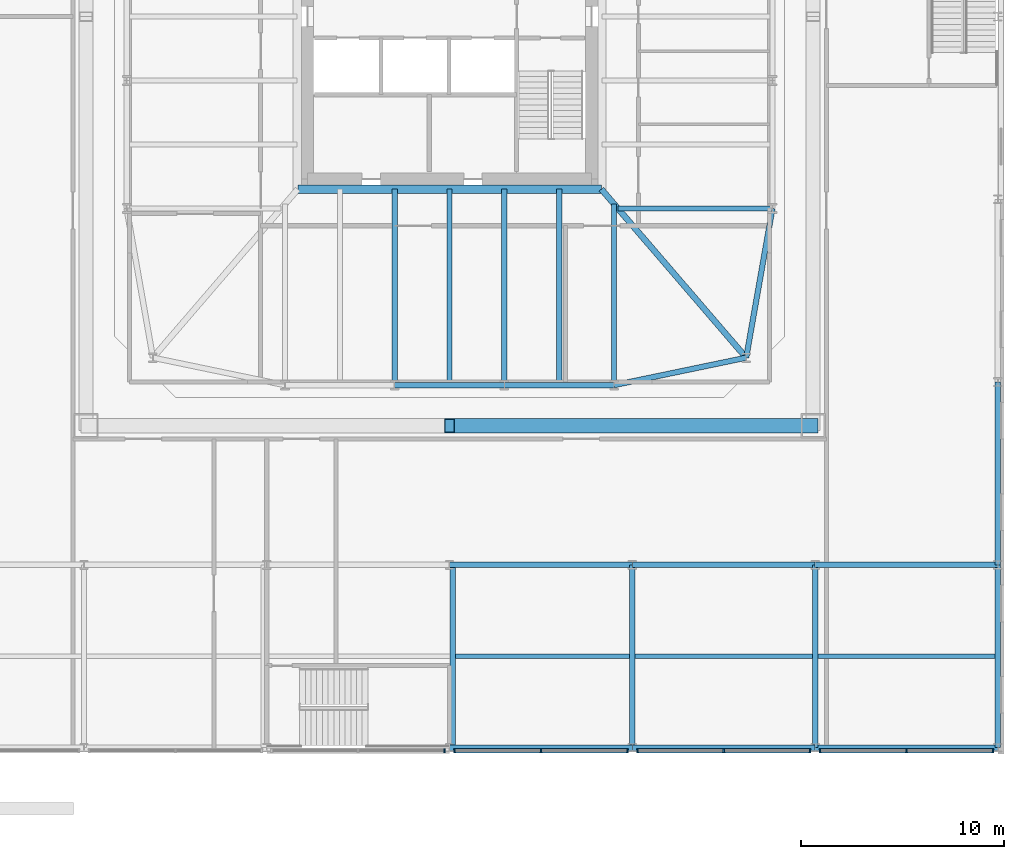
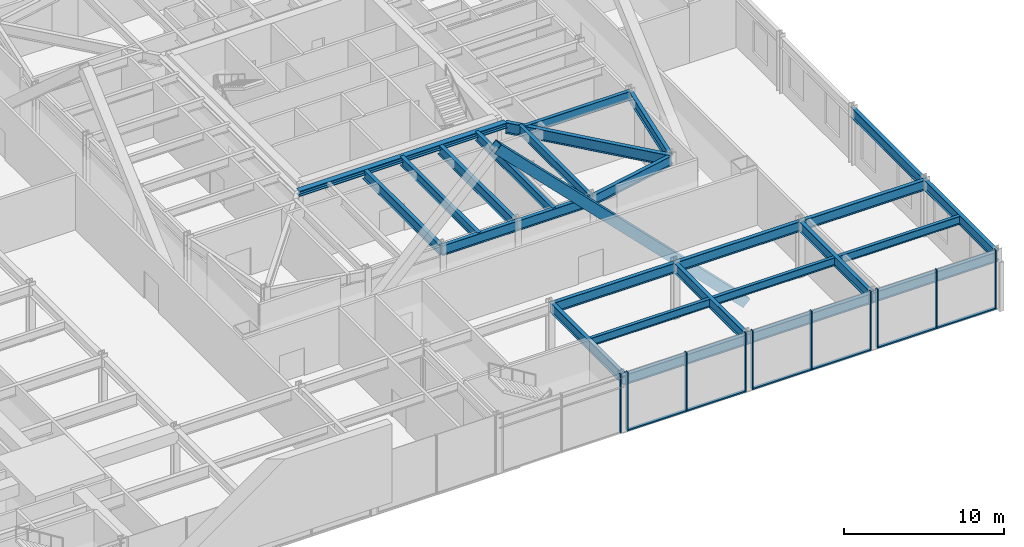
# One storey, part 12 of 32: 26 beams, 17 members, 4 elements without a shape of their own.
"""IFC4 building model written with IfcOpenShell, lengths in metres."""

from ifc_helpers import new_model, si_unit, direction, frame, origin, origin_2d, place, context, subcontext, project, spatial, rectangle, hollow_rectangle, i_section, extrude, material, material_profile, profile_set, type_object, element, aggregate, save


model = new_model("IFC4")

# Units and contexts
model_context = context("Model", 3, precision=1e-05, world=origin(), true_north=direction((0.0, 1.0)))
body_context = subcontext(model_context, "Body", "Model", "MODEL_VIEW")
ifc_project = project(units=[si_unit("LENGTHUNIT", "METRE"), si_unit("AREAUNIT", "SQUARE_METRE"), si_unit("VOLUMEUNIT", "CUBIC_METRE"), si_unit("PLANEANGLEUNIT", "RADIAN"), si_unit("MASSUNIT", "GRAM", prefix="KILO")], contexts=[model_context])

# Site, building, storey
site_placement = place(None, origin())
site = spatial("IfcSite", under=ifc_project, at=site_placement, CompositionType="ELEMENT")
building_placement = place(site_placement, origin())
building = spatial("IfcBuilding", under=site, at=building_placement, Name="Iwan Alto Co-Living Towers", CompositionType="ELEMENT")
storey_placement = place(building_placement, frame((0.0, 0.0, 6.0)))
storey = spatial("IfcBuildingStorey", under=building, at=storey_placement, Name="L01", CompositionType="ELEMENT", Elevation=6.0)

# Curtain wall, member
ifc_material_1 = material(Name="Bronze aluminium stick frame", Category="aluminium")
curtain_wall_type = type_object("IfcCurtainWallType", Name="CURTAIN WALL CW-E", PredefinedType="NOTDEFINED", material=ifc_material_1)
curtain_wall_1_placement = place(storey_placement, origin())
curtain_wall_1 = element("IfcCurtainWall", 1, at=curtain_wall_1_placement, inside=storey, type_object=curtain_wall_type, Name="Podium curtain wall S L01", PredefinedType="NOTDEFINED")
ifc_material_2 = material(Name="Aluminium 6063-T6 bronze anodised", Category="aluminium")
ifc_material_profile_1 = material_profile(ifc_material_2, rectangle(XDim=0.199951171875, YDim=0.080078125, at=origin_2d()), Name="AL 80X200")
ifc_profile_set_1 = profile_set([ifc_material_profile_1], Name="Aluminium 6063-T6 bronze anodised")
member_type_1 = type_object("IfcMemberType", Name="CW-E MULLION 80X200", PredefinedType="MULLION", material=ifc_profile_set_1)
member_1_placement = place(storey_placement, frame((62.754150390625, -36.14990234375, 0.0), z_axis=(0.0, 0.0, 1.0), x_axis=(0.0, 1.0, 0.0)))
member_1 = element("IfcMember", 2, at=member_1_placement, type_object=member_type_1, Name="CW-E mullion 3", PredefinedType="MULLION", context=body_context, shape_type="SweptSolid", body=[
    extrude(rectangle(XDim=0.199951171875, YDim=0.080078125, at=origin_2d()), origin(), (0.0, 0.0, 1.0), 4.5),
])
aggregate(curtain_wall_1, [member_1])

# Curtain wall, members
curtain_wall_2_placement = place(storey_placement, origin())
curtain_wall_2 = element("IfcCurtainWall", 3, at=curtain_wall_2_placement, inside=storey, type_object=curtain_wall_type, Name="Podium curtain wall S L01", PredefinedType="NOTDEFINED")
member_2_placement = place(storey_placement, frame((63.245849609375, -36.14990234375, 0.0), z_axis=(0.0, 0.0, 1.0), x_axis=(0.0, 1.0, 0.0)))
member_2 = element("IfcMember", 4, at=member_2_placement, type_object=member_type_1, Name="CW-E mullion 1", PredefinedType="MULLION", context=body_context, shape_type="SweptSolid", body=[
    extrude(rectangle(XDim=0.199951171875, YDim=0.080078125, at=origin_2d()), origin(), (0.0, 0.0, 1.0), 4.5),
])
member_3_placement = place(storey_placement, frame((67.5, -36.14990234375, 0.0), z_axis=(0.0, 0.0, 1.0), x_axis=(0.0, 1.0, 0.0)))
member_3 = element("IfcMember", 5, at=member_3_placement, type_object=member_type_1, Name="CW-E mullion 2", PredefinedType="MULLION", context=body_context, shape_type="SweptSolid", body=[
    extrude(rectangle(XDim=0.199951171875, YDim=0.080078125, at=origin_2d()), origin(), (0.0, 0.0, 1.0), 4.5),
])
member_4_placement = place(storey_placement, frame((71.754150390625, -36.14990234375, 0.0), z_axis=(0.0, 0.0, 1.0), x_axis=(0.0, 1.0, 0.0)))
member_4 = element("IfcMember", 6, at=member_4_placement, type_object=member_type_1, Name="CW-E mullion 3", PredefinedType="MULLION", context=body_context, shape_type="SweptSolid", body=[
    extrude(rectangle(XDim=0.199951171875, YDim=0.080078125, at=origin_2d()), origin(), (0.0, 0.0, 1.0), 4.5),
])

curtain_wall_3_placement = place(storey_placement, origin())
curtain_wall_3 = element("IfcCurtainWall", 7, at=curtain_wall_3_placement, inside=storey, type_object=curtain_wall_type, Name="Podium curtain wall S L01", PredefinedType="NOTDEFINED")
member_5_placement = place(storey_placement, frame((72.245849609375, -36.14990234375, 0.0), z_axis=(0.0, 0.0, 1.0), x_axis=(0.0, 1.0, 0.0)))
member_5 = element("IfcMember", 8, at=member_5_placement, type_object=member_type_1, Name="CW-E mullion 1", PredefinedType="MULLION", context=body_context, shape_type="SweptSolid", body=[
    extrude(rectangle(XDim=0.199951171875, YDim=0.080078125, at=origin_2d()), origin(), (0.0, 0.0, 1.0), 4.5),
])
member_6_placement = place(storey_placement, frame((76.5, -36.14990234375, 0.0), z_axis=(0.0, 0.0, 1.0), x_axis=(0.0, 1.0, 0.0)))
member_6 = element("IfcMember", 9, at=member_6_placement, type_object=member_type_1, Name="CW-E mullion 2", PredefinedType="MULLION", context=body_context, shape_type="SweptSolid", body=[
    extrude(rectangle(XDim=0.199951171875, YDim=0.080078125, at=origin_2d()), origin(), (0.0, 0.0, 1.0), 4.5),
])
member_7_placement = place(storey_placement, frame((80.754150390625, -36.14990234375, 0.0), z_axis=(0.0, 0.0, 1.0), x_axis=(0.0, 1.0, 0.0)))
member_7 = element("IfcMember", 10, at=member_7_placement, type_object=member_type_1, Name="CW-E mullion 3", PredefinedType="MULLION", context=body_context, shape_type="SweptSolid", body=[
    extrude(rectangle(XDim=0.199951171875, YDim=0.080078125, at=origin_2d()), origin(), (0.0, 0.0, 1.0), 4.5),
])

curtain_wall_4_placement = place(storey_placement, origin())
curtain_wall_4 = element("IfcCurtainWall", 11, at=curtain_wall_4_placement, inside=storey, type_object=curtain_wall_type, Name="Podium curtain wall S L01", PredefinedType="NOTDEFINED")
member_8_placement = place(storey_placement, frame((81.245849609375, -36.14990234375, 0.0), z_axis=(0.0, 0.0, 1.0), x_axis=(0.0, 1.0, 0.0)))
member_8 = element("IfcMember", 12, at=member_8_placement, type_object=member_type_1, Name="CW-E mullion 1", PredefinedType="MULLION", context=body_context, shape_type="SweptSolid", body=[
    extrude(rectangle(XDim=0.199951171875, YDim=0.080078125, at=origin_2d()), origin(), (0.0, 0.0, 1.0), 4.5),
])
member_9_placement = place(storey_placement, frame((85.5, -36.14990234375, 0.0), z_axis=(0.0, 0.0, 1.0), x_axis=(0.0, 1.0, 0.0)))
member_9 = element("IfcMember", 13, at=member_9_placement, type_object=member_type_1, Name="CW-E mullion 2", PredefinedType="MULLION", context=body_context, shape_type="SweptSolid", body=[
    extrude(rectangle(XDim=0.199951171875, YDim=0.080078125, at=origin_2d()), origin(), (0.0, 0.0, 1.0), 4.5),
])
member_10_placement = place(storey_placement, frame((89.754150390625, -36.14990234375, 0.0), z_axis=(0.0, 0.0, 1.0), x_axis=(0.0, 1.0, 0.0)))
member_10 = element("IfcMember", 14, at=member_10_placement, type_object=member_type_1, Name="CW-E mullion 3", PredefinedType="MULLION", context=body_context, shape_type="SweptSolid", body=[
    extrude(rectangle(XDim=0.199951171875, YDim=0.080078125, at=origin_2d()), origin(), (0.0, 0.0, 1.0), 4.5),
])

# Member
ifc_material_3 = material(Name="Aluminium 6063-T6 bronze anodised", Category="aluminium")
ifc_material_profile_2 = material_profile(ifc_material_3, rectangle(XDim=0.199951171875, YDim=0.10009765625, at=origin_2d()), Name="AL 200X100")
ifc_profile_set_2 = profile_set([ifc_material_profile_2], Name="Aluminium 6063-T6 bronze anodised")
member_type_2 = type_object("IfcMemberType", Name="CW-E TRANSOM 200X100", PredefinedType="USERDEFINED", material=ifc_profile_set_2)
member_11_placement = place(storey_placement, frame((63.28564453125, -36.14990234375, 0.050048828125), z_axis=(1.0, 0.0, 0.0), x_axis=(0.0, 1.0, 0.0)))
member_11 = element("IfcMember", 15, at=member_11_placement, type_object=member_type_2, Name="CW-E transom 1.1", ObjectType="TRANSOM", PredefinedType="USERDEFINED", context=body_context, shape_type="SweptSolid", body=[
    extrude(rectangle(XDim=0.199951171875, YDim=0.10009765625, at=origin_2d()), origin(), (0.0, 0.0, 1.0), 4.17431640625),
])

member_12_placement = place(storey_placement, frame((67.5400390625, -36.14990234375, 0.050048828125), z_axis=(1.0, 0.0, 0.0), x_axis=(0.0, 1.0, 0.0)))
member_12 = element("IfcMember", 16, at=member_12_placement, type_object=member_type_2, Name="CW-E transom 2.1", ObjectType="TRANSOM", PredefinedType="USERDEFINED", context=body_context, shape_type="SweptSolid", body=[
    extrude(rectangle(XDim=0.199951171875, YDim=0.10009765625, at=origin_2d()), origin(), (0.0, 0.0, 1.0), 4.17431640625),
])

aggregate(curtain_wall_2, [member_2, member_3, member_4, member_11, member_12])

member_13_placement = place(storey_placement, frame((72.28564453125, -36.14990234375, 0.050048828125), z_axis=(1.0, 0.0, 0.0), x_axis=(0.0, 1.0, 0.0)))
member_13 = element("IfcMember", 17, at=member_13_placement, type_object=member_type_2, Name="CW-E transom 1.1", ObjectType="TRANSOM", PredefinedType="USERDEFINED", context=body_context, shape_type="SweptSolid", body=[
    extrude(rectangle(XDim=0.199951171875, YDim=0.10009765625, at=origin_2d()), origin(), (0.0, 0.0, 1.0), 4.17431640625),
])

member_14_placement = place(storey_placement, frame((76.5400390625, -36.14990234375, 0.050048828125), z_axis=(1.0, 0.0, 0.0), x_axis=(0.0, 1.0, 0.0)))
member_14 = element("IfcMember", 18, at=member_14_placement, type_object=member_type_2, Name="CW-E transom 2.1", ObjectType="TRANSOM", PredefinedType="USERDEFINED", context=body_context, shape_type="SweptSolid", body=[
    extrude(rectangle(XDim=0.199951171875, YDim=0.10009765625, at=origin_2d()), origin(), (0.0, 0.0, 1.0), 4.17431640625),
])

aggregate(curtain_wall_3, [member_5, member_6, member_7, member_13, member_14])

member_15_placement = place(storey_placement, frame((81.28564453125, -36.14990234375, 0.050048828125), z_axis=(1.0, 0.0, 0.0), x_axis=(0.0, 1.0, 0.0)))
member_15 = element("IfcMember", 19, at=member_15_placement, type_object=member_type_2, Name="CW-E transom 1.1", ObjectType="TRANSOM", PredefinedType="USERDEFINED", context=body_context, shape_type="SweptSolid", body=[
    extrude(rectangle(XDim=0.199951171875, YDim=0.10009765625, at=origin_2d()), origin(), (0.0, 0.0, 1.0), 4.17431640625),
])

member_16_placement = place(storey_placement, frame((85.5400390625, -36.14990234375, 0.050048828125), z_axis=(1.0, 0.0, 0.0), x_axis=(0.0, 1.0, 0.0)))
member_16 = element("IfcMember", 20, at=member_16_placement, type_object=member_type_2, Name="CW-E transom 2.1", ObjectType="TRANSOM", PredefinedType="USERDEFINED", context=body_context, shape_type="SweptSolid", body=[
    extrude(rectangle(XDim=0.199951171875, YDim=0.10009765625, at=origin_2d()), origin(), (0.0, 0.0, 1.0), 4.17431640625),
])

aggregate(curtain_wall_4, [member_8, member_9, member_10, member_15, member_16])

# Beams
ifc_material_4 = material(Name="Steel ASTM A992 Gr 50", Category="steel")
ifc_material_profile_3 = material_profile(ifc_material_4, i_section(OverallWidth=0.2666015625, OverallDepth=0.76953125, WebThickness=0.015625, FlangeThickness=0.025390625, at=origin_2d()), Name="W30X132")
ifc_profile_set_3 = profile_set([ifc_material_profile_3], Name="Steel ASTM A992 Gr 50")
beam_type_1 = type_object("IfcBeamType", Name="PODIUM BEAM W30X132", PredefinedType="BEAM", material=ifc_profile_set_3)
for number, where, z_axis, x_axis, name in (
    (21, (63.0, -36.0, 3.865234375), (1.0, 0.0, 0.0), (0.0, 1.0, 0.0), "Podium beam 12/A-13/A L02"),
    (22, (63.1533203125, -36.0, 3.865234375), (0.0, 1.0, 0.0), (-1.0, 0.0, 0.0), "Podium beam 12/A-12/B L02"),
    (23, (63.0, -27.0, 3.865234375), (1.0, 0.0, 0.0), (0.0, 1.0, 0.0), "Podium beam 12/B-13/B L02"),
    (24, (72.0, -36.0, 3.865234375), (1.0, 0.0, 0.0), (0.0, 1.0, 0.0), "Podium beam 13/A-14/A L02"),
    (25, (72.0, -36.0, 3.865234375), (0.0, 1.0, 0.0), (-1.0, 0.0, 0.0), "Podium beam 13/A-13/B L02"),
    (26, (72.0, -27.0, 3.865234375), (1.0, 0.0, 0.0), (0.0, 1.0, 0.0), "Podium beam 13/B-14/B L02"),
    (27, (81.0, -36.0, 3.865234375), (1.0, 0.0, 0.0), (0.0, 1.0, 0.0), "Podium beam 14/A-15/A L02"),
    (28, (81.0, -36.0, 3.865234375), (0.0, 1.0, 0.0), (-1.0, 0.0, 0.0), "Podium beam 14/A-14/B L02"),
    (29, (81.0, -27.0, 3.865234375), (1.0, 0.0, 0.0), (0.0, 1.0, 0.0), "Podium beam 14/B-15/B L02"),
    (30, (90.0, -36.0, 3.865234375), (0.0, 1.0, 0.0), (-1.0, 0.0, 0.0), "Podium beam 15/A-15/B L02"),
    (31, (90.0, -27.0, 3.865234375), (0.0, 1.0, 0.0), (-1.0, 0.0, 0.0), "Podium beam 15/B-15/C L02"),
):
    element("IfcBeam", number, at=place(storey_placement, frame(where, z_axis=z_axis, x_axis=x_axis)), inside=storey, type_object=beam_type_1, Name=name, PredefinedType="BEAM", context=body_context, shape_type="SweptSolid", body=[
        extrude(i_section(OverallWidth=0.2666015625, OverallDepth=0.76953125, WebThickness=0.015625, FlangeThickness=0.025390625, at=origin_2d()), origin(), (0.0, 0.0, 1.0), 9.0),
    ])
ifc_material_5 = material(Name="Steel ASTM A992 Gr 50", Category="steel")
ifc_material_profile_4 = material_profile(ifc_material_5, i_section(OverallWidth=0.23046875, OverallDepth=0.6171875, WebThickness=0.01318359375, FlangeThickness=0.022216796875, at=origin_2d()), Name="W24X94")
ifc_profile_set_4 = profile_set([ifc_material_profile_4], Name="Steel ASTM A992 Gr 50")
beam_type_2 = type_object("IfcBeamType", Name="PODIUM SECONDARY BEAM W24X94", PredefinedType="JOIST", material=ifc_profile_set_4)
beam_1_placement = place(storey_placement, frame((63.28662109375, -31.5, 3.94140625), z_axis=(1.0, 0.0, 0.0), x_axis=(0.0, 1.0, 0.0)))
element("IfcBeam", 32, at=beam_1_placement, inside=storey, type_object=beam_type_2, Name="Podium secondary beam 12/A L02", PredefinedType="JOIST", context=body_context, shape_type="SweptSolid", body=[
    extrude(i_section(OverallWidth=0.23046875, OverallDepth=0.6171875, WebThickness=0.01318359375, FlangeThickness=0.022216796875, at=origin_2d()), origin(), (0.0, 0.0, 1.0), 8.580078125),
])
for number, where, z_axis, x_axis, name in (
    (33, (72.13330078125, -31.5, 3.94140625), (1.0, 0.0, 0.0), (0.0, 1.0, 0.0), "Podium secondary beam 13/A L02"),
    (34, (81.13330078125, -31.5, 3.94140625), (1.0, 0.0, 0.0), (0.0, 1.0, 0.0), "Podium secondary beam 14/A L02"),
):
    element("IfcBeam", number, at=place(storey_placement, frame(where, z_axis=z_axis, x_axis=x_axis)), inside=storey, type_object=beam_type_2, Name=name, PredefinedType="JOIST", context=body_context, shape_type="SweptSolid", body=[
        extrude(i_section(OverallWidth=0.23046875, OverallDepth=0.6171875, WebThickness=0.01318359375, FlangeThickness=0.022216796875, at=origin_2d()), origin(), (0.0, 0.0, 1.0), 8.7333984375),
    ])
ifc_material_6 = material(Name="Steel ASTM A992 Gr 50", Category="steel")
ifc_material_profile_5 = material_profile(ifc_material_6, i_section(OverallWidth=0.40380859375, OverallDepth=0.406494140625, WebThickness=0.027099609375, FlangeThickness=0.043701171875, at=origin_2d()), Name="W14X233")
ifc_profile_set_5 = profile_set([ifc_material_profile_5], Name="Steel ASTM A992 Gr 50")
beam_type_3 = type_object("IfcBeamType", Name="T2 CORE LEDGER BEAM W14X233", PredefinedType="BEAM", material=ifc_profile_set_5)
beam_2_placement = place(storey_placement, frame((55.5263671875, -8.501953125, 4.046875), z_axis=(1.0, 0.0, 0.0), x_axis=(0.0, 1.0, 0.0)))
element("IfcBeam", 35, at=beam_2_placement, inside=storey, type_object=beam_type_3, Name="T2 core ledger beam S L02", PredefinedType="BEAM", context=body_context, shape_type="SweptSolid", body=[
    extrude(i_section(OverallWidth=0.40380859375, OverallDepth=0.406494140625, WebThickness=0.027099609375, FlangeThickness=0.043701171875, at=origin_2d()), origin(), (0.0, 0.0, 1.0), 14.947265625),
])
ifc_material_7 = material(Name="Steel ASTM A992 Gr 50", Category="steel")
ifc_material_profile_6 = material_profile(ifc_material_7, i_section(OverallWidth=0.2919921875, OverallDepth=0.8408203125, WebThickness=0.0146484375, FlangeThickness=0.021728515625, at=origin_2d()), Name="W33X130")
ifc_profile_set_6 = profile_set([ifc_material_profile_6], Name="Steel ASTM A992 Gr 50")
beam_type_4 = type_object("IfcBeamType", Name="T2 CORNER GIRDER W33X130", PredefinedType="BEAM", material=ifc_profile_set_6)
beam_3_placement = place(storey_placement, frame((77.606201171875, -16.797119140625, 3.82958984375), z_axis=(-0.651972301827, 0.758242782788, 0.0), x_axis=(-0.758242782788, -0.651972301827, 0.0)))
element("IfcBeam", 36, at=beam_3_placement, inside=storey, type_object=beam_type_4, Name="T2 corner girder CSE L02", PredefinedType="BEAM", context=body_context, shape_type="SweptSolid", body=[
    extrude(i_section(OverallWidth=0.2919921875, OverallDepth=0.8408203125, WebThickness=0.0146484375, FlangeThickness=0.021728515625, at=origin_2d()), origin(), (0.0, 0.0, 1.0), 10.93994140625),
])
ifc_material_8 = material(Name="Steel ASTM A992 Gr 50", Category="steel")
ifc_material_profile_7 = material_profile(ifc_material_8, i_section(OverallWidth=0.2666015625, OverallDepth=0.761962890625, WebThickness=0.014404296875, FlangeThickness=0.021484375, at=origin_2d()), Name="W30X116")
ifc_profile_set_7 = profile_set([ifc_material_profile_7], Name="Steel ASTM A992 Gr 50")
beam_type_5 = type_object("IfcBeamType", Name="T2 EDGE BEAM W30X116", PredefinedType="BEAM", material=ifc_profile_set_7)
beam_4_placement = place(storey_placement, frame((60.300048828125, -18.14990234375, 3.868896484375), z_axis=(1.0, 0.0, 0.0), x_axis=(0.0, 1.0, 0.0)))
element("IfcBeam", 37, at=beam_4_placement, inside=storey, type_object=beam_type_5, Name="T2 edge beam S2 L02", PredefinedType="BEAM", context=body_context, shape_type="SweptSolid", body=[
    extrude(i_section(OverallWidth=0.2666015625, OverallDepth=0.761962890625, WebThickness=0.014404296875, FlangeThickness=0.021484375, at=origin_2d()), origin(), (0.0, 0.0, 1.0), 5.39990234375),
])
beam_5_placement = place(storey_placement, frame((65.699951171875, -18.14990234375, 3.868896484375), z_axis=(1.0, 0.0, 0.0), x_axis=(0.0, 1.0, 0.0)))
element("IfcBeam", 38, at=beam_5_placement, inside=storey, type_object=beam_type_5, Name="T2 edge beam S3 L02", PredefinedType="BEAM", context=body_context, shape_type="SweptSolid", body=[
    extrude(i_section(OverallWidth=0.2666015625, OverallDepth=0.761962890625, WebThickness=0.014404296875, FlangeThickness=0.021484375, at=origin_2d()), origin(), (0.0, 0.0, 1.0), 5.400146484375),
])
beam_6_placement = place(storey_placement, frame((71.10009765625, -18.14990234375, 3.868896484375), z_axis=(0.979060119423, 0.203571320564, 0.0), x_axis=(-0.203571320564, 0.979060119423, 0.0)))
element("IfcBeam", 39, at=beam_6_placement, inside=storey, type_object=beam_type_5, Name="T2 edge beam S4 L02", PredefinedType="BEAM", context=body_context, shape_type="SweptSolid", body=[
    extrude(i_section(OverallWidth=0.2666015625, OverallDepth=0.761962890625, WebThickness=0.014404296875, FlangeThickness=0.021484375, at=origin_2d()), origin(), (0.0, 0.0, 1.0), 6.645263671875),
])
beam_7_placement = place(storey_placement, frame((77.606201171875, -16.797119140625, 3.868896484375), z_axis=(0.173413807283, 0.98484905008, 0.0), x_axis=(-0.98484905008, 0.173413807283, 0.0)))
element("IfcBeam", 40, at=beam_7_placement, inside=storey, type_object=beam_type_5, Name="T2 edge beam CSE L02", PredefinedType="BEAM", context=body_context, shape_type="SweptSolid", body=[
    extrude(i_section(OverallWidth=0.2666015625, OverallDepth=0.761962890625, WebThickness=0.014404296875, FlangeThickness=0.021484375, at=origin_2d()), origin(), (0.0, 0.0, 1.0), 7.460205078125),
])

# Member
ifc_material_9 = material(Name="Steel ASTM A572 Gr 50", Category="steel")
ifc_material_profile_8 = material_profile(ifc_material_9, hollow_rectangle(XDim=0.699951171875, YDim=0.699951171875, WallThickness=0.044921875, at=origin_2d()), Name="BOX 700X700X45")
ifc_profile_set_8 = profile_set([ifc_material_profile_8], Name="Steel ASTM A572 Gr 50")
member_type_3 = type_object("IfcMemberType", Name="T2 MEGA BRACE BOX 700X700X45", PredefinedType="BRACE", material=ifc_profile_set_8)
member_17_placement = place(storey_placement, frame((80.89990234375, -20.14990234375, -6.0), z_axis=(-0.705132454608, 0.0, 0.709075610537), x_axis=(0.0, -1.0, 0.0)))
element("IfcMember", 41, at=member_17_placement, inside=storey, type_object=member_type_3, Name="T2 mega brace Z1A S 2 lower", PredefinedType="BRACE", context=body_context, shape_type="SweptSolid", body=[
    extrude(hollow_rectangle(XDim=0.699951171875, YDim=0.699951171875, WallThickness=0.044921875, at=origin_2d()), origin(), (0.0, 0.0, 1.0), 25.38525390625),
])

# Beams
ifc_material_10 = material(Name="Steel ASTM A992 Gr 50", Category="steel")
ifc_material_profile_9 = material_profile(ifc_material_10, i_section(OverallWidth=0.25390625, OverallDepth=0.683349609375, WebThickness=0.012451171875, FlangeThickness=0.018798828125, at=origin_2d()), Name="W27X94")
ifc_profile_set_9 = profile_set([ifc_material_profile_9], Name="Steel ASTM A992 Gr 50")
beam_type_6 = type_object("IfcBeamType", Name="T2 RADIAL BEAM W27X94", PredefinedType="BEAM", material=ifc_profile_set_9)
beam_8_placement = place(storey_placement, frame((71.10009765625, -18.14990234375, 3.908447265625), z_axis=(0.0, 1.0, 0.0), x_axis=(-1.0, 0.0, 0.0)))
element("IfcBeam", 42, at=beam_8_placement, inside=storey, type_object=beam_type_6, Name="T2 radial beam S4 L02", PredefinedType="BEAM", context=body_context, shape_type="SweptSolid", body=[
    extrude(i_section(OverallWidth=0.25390625, OverallDepth=0.683349609375, WebThickness=0.012451171875, FlangeThickness=0.018798828125, at=origin_2d()), origin(), (0.0, 0.0, 1.0), 8.91943359375),
])
beam_9_placement = place(storey_placement, frame((78.89990234375, -9.449951171875, 3.908447265625), z_axis=(-1.0, 0.0, 0.0), x_axis=(0.0, -1.0, 0.0)))
element("IfcBeam", 43, at=beam_9_placement, inside=storey, type_object=beam_type_6, Name="T2 radial beam E1 L02", PredefinedType="BEAM", context=body_context, shape_type="SweptSolid", body=[
    extrude(i_section(OverallWidth=0.25390625, OverallDepth=0.683349609375, WebThickness=0.012451171875, FlangeThickness=0.018798828125, at=origin_2d()), origin(), (0.0, 0.0, 1.0), 7.611083984375),
])
ifc_material_11 = material(Name="Steel ASTM A992 Gr 50", Category="steel")
ifc_material_profile_10 = material_profile(ifc_material_11, i_section(OverallWidth=0.2666015625, OverallDepth=0.761962890625, WebThickness=0.014404296875, FlangeThickness=0.021484375, at=origin_2d()), Name="W30X116")
ifc_profile_set_10 = profile_set([ifc_material_profile_10], Name="Steel ASTM A992 Gr 50")
beam_type_7 = type_object("IfcBeamType", Name="T2 RADIAL BEAM W30X116", PredefinedType="BEAM", material=ifc_profile_set_10)
for number, where, z_axis, x_axis, name in (
    (44, (60.300048828125, -18.14990234375, 3.868896484375), (0.0, 1.0, 0.0), (-1.0, 0.0, 0.0), "T2 radial beam S2 L02"),
    (45, (65.699951171875, -18.14990234375, 3.868896484375), (0.0, 1.0, 0.0), (-1.0, 0.0, 0.0), "T2 radial beam S3 L02"),
):
    element("IfcBeam", number, at=place(storey_placement, frame(where, z_axis=z_axis, x_axis=x_axis)), inside=storey, type_object=beam_type_7, Name=name, PredefinedType="BEAM", context=body_context, shape_type="SweptSolid", body=[
        extrude(i_section(OverallWidth=0.2666015625, OverallDepth=0.761962890625, WebThickness=0.014404296875, FlangeThickness=0.021484375, at=origin_2d()), origin(), (0.0, 0.0, 1.0), 9.64794921875),
    ])
ifc_material_12 = material(Name="Steel ASTM A992 Gr 50", Category="steel")
ifc_material_profile_11 = material_profile(ifc_material_12, i_section(OverallWidth=0.25390625, OverallDepth=0.683349609375, WebThickness=0.012451171875, FlangeThickness=0.018798828125, at=origin_2d()), Name="W27X94")
ifc_profile_set_11 = profile_set([ifc_material_profile_11], Name="Steel ASTM A992 Gr 50")
beam_type_8 = type_object("IfcBeamType", Name="T2 SECONDARY BEAM W27X94", PredefinedType="JOIST", material=ifc_profile_set_11)
for number, where, z_axis, x_axis, name in (
    (46, (63.0, -18.14990234375, 3.908447265625), (0.0, 1.0, 0.0), (-1.0, 0.0, 0.0), "T2 secondary beam S2 L02"),
    (47, (68.39990234375, -18.14990234375, 3.908447265625), (0.0, 1.0, 0.0), (-1.0, 0.0, 0.0), "T2 secondary beam S3 L02"),
):
    element("IfcBeam", number, at=place(storey_placement, frame(where, z_axis=z_axis, x_axis=x_axis)), inside=storey, type_object=beam_type_8, Name=name, PredefinedType="JOIST", context=body_context, shape_type="SweptSolid", body=[
        extrude(i_section(OverallWidth=0.25390625, OverallDepth=0.683349609375, WebThickness=0.012451171875, FlangeThickness=0.018798828125, at=origin_2d()), origin(), (0.0, 0.0, 1.0), 9.64794921875),
    ])

save(model, "model.ifc")
